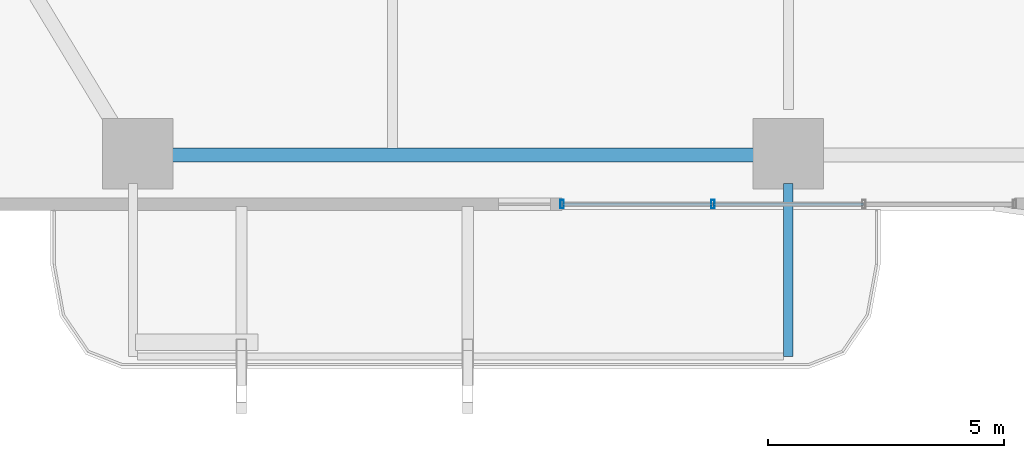
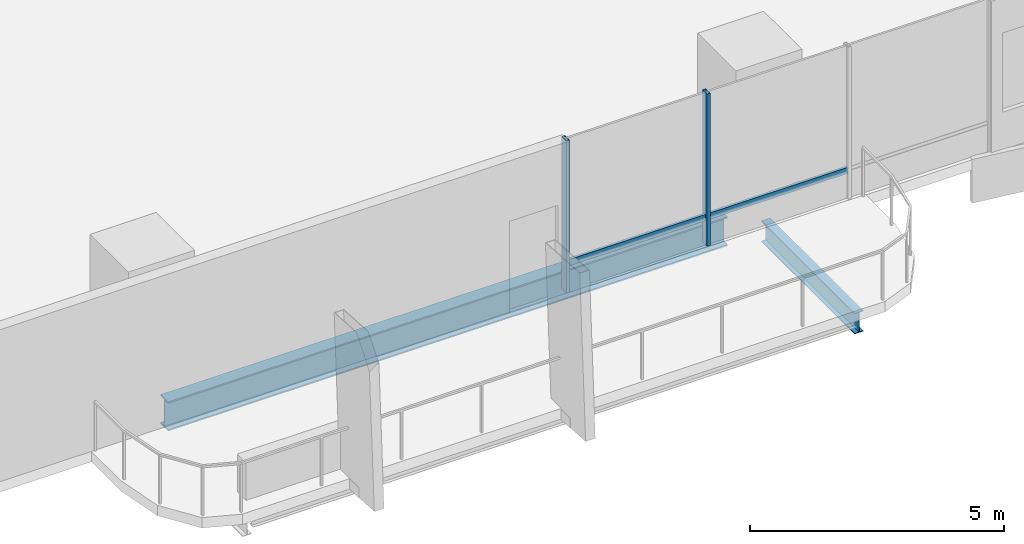
# One storey, part 4 of 30: 4 members, 2 beams, 1 element without a shape of its own.
"""IFC4 building model written with IfcOpenShell, lengths in metres."""

from ifc_helpers import new_model, si_unit, direction, frame, origin, origin_2d, place, context, subcontext, project, spatial, hollow_rectangle, i_section, extrude, material, layer, layer_set, material_profile, profile_set, type_object, element, aggregate, save


model = new_model("IFC4")

# Units and contexts
model_context = context("Model", 3, precision=1e-05, world=origin(), true_north=direction((0.0, 1.0)))
body_context = subcontext(model_context, "Body", "Model", "MODEL_VIEW")
ifc_project = project(units=[si_unit("LENGTHUNIT", "METRE"), si_unit("AREAUNIT", "SQUARE_METRE"), si_unit("VOLUMEUNIT", "CUBIC_METRE"), si_unit("PLANEANGLEUNIT", "RADIAN"), si_unit("MASSUNIT", "GRAM", prefix="KILO")], contexts=[model_context])

# Site, building, storey
site_placement = place(None, origin())
site = spatial("IfcSite", under=ifc_project, at=site_placement, CompositionType="ELEMENT")
building_placement = place(site_placement, origin())
building = spatial("IfcBuilding", under=site, at=building_placement, Name="Belovzor Exchange Tower", CompositionType="ELEMENT")
storey_placement = place(building_placement, frame((0.0, 0.0, 30.0)))
storey = spatial("IfcBuildingStorey", under=building, at=storey_placement, Name="L06", CompositionType="ELEMENT", Elevation=30.0)

# Beam
ifc_material_1 = material(Name="Steel S355", Category="steel")
ifc_material_profile_1 = material_profile(ifc_material_1, i_section(OverallWidth=0.199951171875, OverallDepth=0.5, WebThickness=0.01025390625, FlangeThickness=0.01611328125, at=origin_2d()))
ifc_profile_set_1 = profile_set([ifc_material_profile_1], Name="Steel S355")
beam_type_1 = type_object("IfcBeamType", Name="Planted Balcony Cantilever Beam IPE 500", PredefinedType="BEAM", material=ifc_profile_set_1)
beam_1_placement = place(storey_placement, frame((28.800048828125, 1.469970703125, -0.5), z_axis=(0.0, -1.0, 0.0), x_axis=(1.0, 0.0, 0.0)))
element("IfcBeam", 1, at=beam_1_placement, inside=storey, type_object=beam_type_1, Name="BC-500 Planted Balcony Cantilever Beam IPE 500", PredefinedType="BEAM", context=body_context, shape_type="SweptSolid", body=[
    extrude(i_section(OverallWidth=0.199951171875, OverallDepth=0.5, WebThickness=0.01025390625, FlangeThickness=0.01611328125, at=origin_2d()), origin(), (0.0, 0.0, 1.0), 3.669921875),
])

# Curtain wall, members
ifc_material_2 = material(Name="Anodised Aluminium Framing", Category="aluminium")
ifc_layer = layer(ifc_material_2, 0.179931640625)
ifc_layer_set = layer_set([ifc_layer], Name="Anodised Aluminium Framing")
curtain_wall_type = type_object("IfcCurtainWallType", Name="Recessed Loggia Low-Iron Triple-Glazed Curtain Wall", PredefinedType="NOTDEFINED", material=ifc_layer_set)
curtain_wall_placement = place(storey_placement, origin())
curtain_wall = element("IfcCurtainWall", 2, at=curtain_wall_placement, inside=storey, type_object=curtain_wall_type, Name="CW3 Recessed Loggia Low-Iron Triple-Glazed Curtain Wall L06", PredefinedType="NOTDEFINED")
ifc_material_3 = material(Name="Steel S355", Category="steel")
ifc_material_profile_2 = material_profile(ifc_material_3, hollow_rectangle(XDim=0.074951171875, YDim=0.179931640625, WallThickness=0.0048828125, at=origin_2d()))
ifc_profile_set_2 = profile_set([ifc_material_profile_2], Name="Steel S355")
member_type_1 = type_object("IfcMemberType", Name="Thermally Broken Curtain Wall Mullion 180x75", PredefinedType="MULLION", material=ifc_profile_set_2)
member_1_placement = place(storey_placement, frame((27.199951171875, 1.030029296875, 0.0), z_axis=(0.0, 0.0, 1.0), x_axis=(-1.0, 0.0, 0.0)))
member_1 = element("IfcMember", 3, at=member_1_placement, type_object=member_type_1, Name="CW-M180 Curtain Wall Mullion 3", PredefinedType="MULLION", context=body_context, shape_type="SweptSolid", body=[
    extrude(hollow_rectangle(XDim=0.074951171875, YDim=0.179931640625, WallThickness=0.0048828125, at=origin_2d()), origin(), (0.0, 0.0, 1.0), 3.64990234375),
])
member_2_placement = place(storey_placement, frame((24.0, 1.030029296875, 0.0), z_axis=(0.0, 0.0, 1.0), x_axis=(-1.0, 0.0, 0.0)))
member_2 = element("IfcMember", 4, at=member_2_placement, type_object=member_type_1, Name="CW-M180 Curtain Wall Mullion 4", PredefinedType="MULLION", context=body_context, shape_type="SweptSolid", body=[
    extrude(hollow_rectangle(XDim=0.074951171875, YDim=0.179931640625, WallThickness=0.0048828125, at=origin_2d()), origin(), (0.0, 0.0, 1.0), 3.64990234375),
])
ifc_material_4 = material(Name="Steel S355", Category="steel")
ifc_material_profile_3 = material_profile(ifc_material_4, hollow_rectangle(XDim=0.06005859375, YDim=0.14990234375, WallThickness=0.00390625, at=origin_2d()))
ifc_profile_set_3 = profile_set([ifc_material_profile_3], Name="Steel S355")
member_type_2 = type_object("IfcMemberType", Name="Thermally Broken Curtain Wall Transom 150x60", PredefinedType="USERDEFINED", material=ifc_profile_set_3)
member_3_placement = place(storey_placement, frame((30.39208984375, 1.030029296875, 0.64990234375), z_axis=(-1.0, 0.0, 0.0), x_axis=(0.0, -1.0, 0.0)))
member_3 = element("IfcMember", 5, at=member_3_placement, type_object=member_type_2, Name="CW-T150 Curtain Wall Transom 2", ObjectType="TRANSOM", PredefinedType="USERDEFINED", context=body_context, shape_type="SweptSolid", body=[
    extrude(hollow_rectangle(XDim=0.06005859375, YDim=0.14990234375, WallThickness=0.00390625, at=origin_2d()), origin(), (0.0, 0.0, 1.0), 3.18408203125),
])
member_4_placement = place(storey_placement, frame((27.19189453125, 1.030029296875, 0.64990234375), z_axis=(-1.0, 0.0, 0.0), x_axis=(0.0, -1.0, 0.0)))
member_4 = element("IfcMember", 6, at=member_4_placement, type_object=member_type_2, Name="CW-T150 Curtain Wall Transom 3", ObjectType="TRANSOM", PredefinedType="USERDEFINED", context=body_context, shape_type="SweptSolid", body=[
    extrude(hollow_rectangle(XDim=0.06005859375, YDim=0.14990234375, WallThickness=0.00390625, at=origin_2d()), origin(), (0.0, 0.0, 1.0), 3.183837890625),
])
aggregate(curtain_wall, [member_1, member_2, member_3, member_4])

# Beam
ifc_material_5 = material(Name="Steel S355", Category="steel")
ifc_material_profile_4 = material_profile(ifc_material_5, i_section(OverallWidth=0.300048828125, OverallDepth=0.699951171875, WebThickness=0.01708984375, FlangeThickness=0.031982421875, at=origin_2d()))
ifc_profile_set_4 = profile_set([ifc_material_profile_4], Name="Steel S355")
beam_type_2 = type_object("IfcBeamType", Name="Zone 1 Primary Perimeter Girder HEB 700", PredefinedType="BEAM", material=ifc_profile_set_4)
beam_2_placement = place(storey_placement, frame((15.485107421875, 2.070068359375, -0.60009765625), z_axis=(1.0, 0.0, 0.0), x_axis=(0.0, 1.0, 0.0)))
element("IfcBeam", 7, at=beam_2_placement, inside=storey, type_object=beam_type_2, Name="FG-Z1 Zone 1 Primary Perimeter Girder HEB 700", PredefinedType="BEAM", context=body_context, shape_type="SweptSolid", body=[
    extrude(i_section(OverallWidth=0.300048828125, OverallDepth=0.699951171875, WebThickness=0.01708984375, FlangeThickness=0.031982421875, at=origin_2d()), origin(), (0.0, 0.0, 1.0), 12.7099609375),
])

save(model, "model.ifc")
